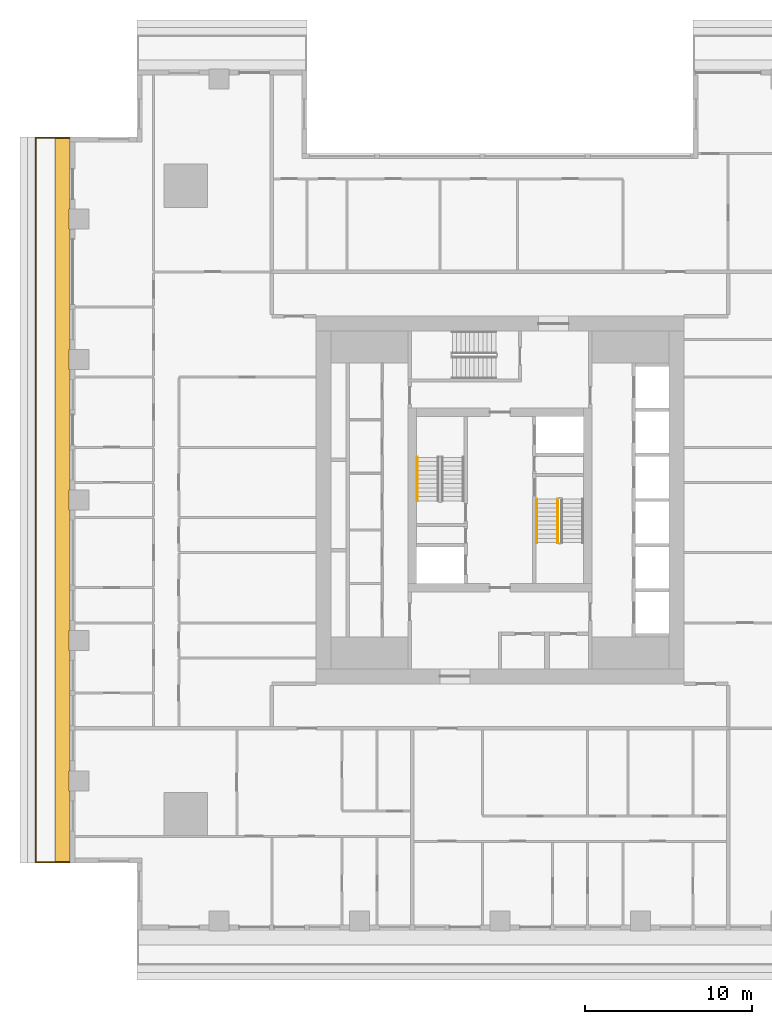
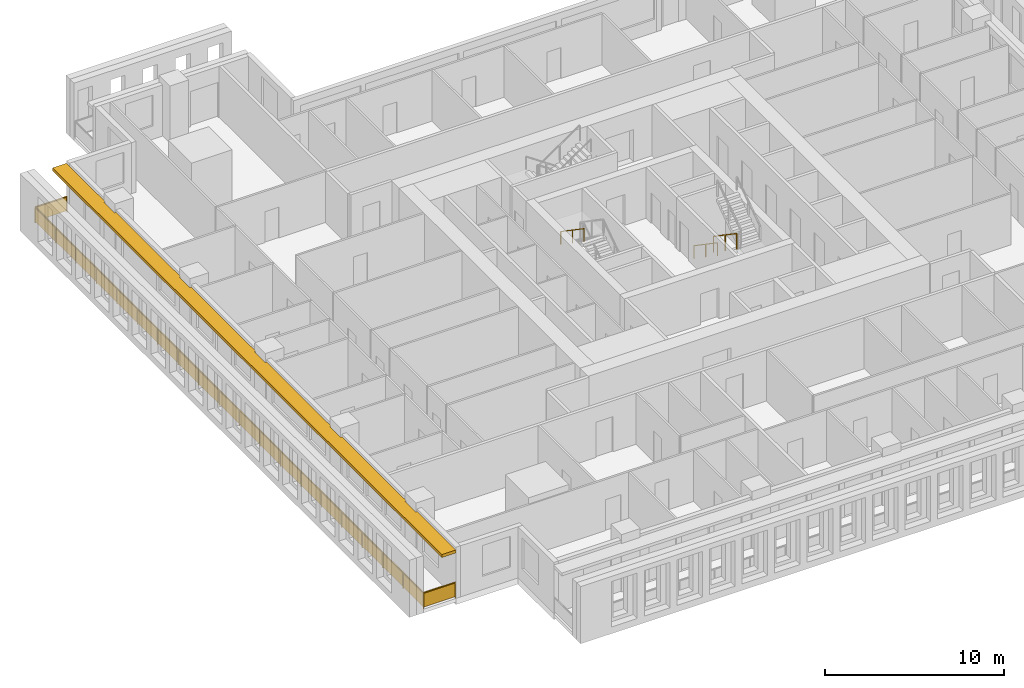
# One storey, part 12 of 16: 4 railings, 1 shading device.
"""IFC4 building model written with IfcOpenShell, lengths in metres."""

from ifc_helpers import new_model, si_unit, direction, frame, origin, origin_2d, place, context, subcontext, project, spatial, polyline, rectangle, outline, extrude, material, layer, layer_set, type_object, element, save


model = new_model("IFC4")

# Units and contexts
model_context = context("Model", 3, precision=1e-05, world=origin(), true_north=direction((0.0, 1.0)))
body_context = subcontext(model_context, "Body", "Model", "MODEL_VIEW")
ifc_project = project(units=[si_unit("LENGTHUNIT", "METRE"), si_unit("AREAUNIT", "SQUARE_METRE"), si_unit("VOLUMEUNIT", "CUBIC_METRE"), si_unit("PLANEANGLEUNIT", "RADIAN"), si_unit("MASSUNIT", "GRAM", prefix="KILO")], contexts=[model_context])

# Site, building, storey
site_placement = place(None, origin())
site = spatial("IfcSite", under=ifc_project, at=site_placement, CompositionType="ELEMENT")
building_placement = place(site_placement, origin())
building = spatial("IfcBuilding", under=site, at=building_placement, Name="Khepri Terraces", CompositionType="ELEMENT")
storey_placement = place(building_placement, frame((0.0, 0.0, 168.89990234375)))
storey = spatial("IfcBuildingStorey", under=building, at=storey_placement, Name="L40", CompositionType="ELEMENT", Elevation=168.89990234375)

# Railings
ifc_material_1 = material(Name="Stainless steel grade 316", Category="steel")
railing_type_1 = type_object("IfcRailingType", Name="GRD-BAL-1100", PredefinedType="GUARDRAIL", material=ifc_material_1)
railing_1_placement = place(storey_placement, frame((-25.719970703125, 21.669921875, 0.0)))
element("IfcRailing", 1, at=railing_1_placement, inside=storey, type_object=railing_type_1, Name="Balcony guard L40 W", PredefinedType="GUARDRAIL", context=body_context, shape_type="SweptSolid", body=[
    extrude(rectangle(XDim=0.050048828125, YDim=0.06005859375, at=origin_2d()), frame((0.0, 0.0, 1.070068359375), z_axis=(-1.0, 0.0, 0.0), x_axis=(0.0, -1.0, 0.0)), (0.0, 0.0, 1.0), 2.050048828125),
    extrude(rectangle(XDim=2.0, YDim=0.011962890625, at=origin_2d()), frame((-1.02490234375, 0.0, 0.10009765625), z_axis=(0.0, 0.0, 1.0), x_axis=(-1.0, 0.0, 0.0)), (0.0, 0.0, 1.0), 0.93994140625),
    extrude(rectangle(XDim=0.050048828125, YDim=0.06005859375, at=origin_2d()), frame((-2.050048828125, 0.0, 1.070068359375), z_axis=(0.0, -1.0, 0.0), x_axis=(1.0, 0.0, 0.0)), (0.0, 0.0, 1.0), 43.33984375),
    extrude(rectangle(XDim=2.23095703125, YDim=0.011962890625, at=origin_2d()), frame((-2.050048828125, -1.140625, 0.10009765625), z_axis=(0.0, 0.0, 1.0), x_axis=(0.0, -1.0, 0.0)), (0.0, 0.0, 1.0), 0.93994140625),
    extrude(rectangle(XDim=2.23095703125, YDim=0.011962890625, at=origin_2d()), frame((-2.050048828125, -3.421630859375, 0.10009765625), z_axis=(0.0, 0.0, 1.0), x_axis=(0.0, -1.0, 0.0)), (0.0, 0.0, 1.0), 0.93994140625),
    extrude(rectangle(XDim=2.23095703125, YDim=0.011962890625, at=origin_2d()), frame((-2.050048828125, -5.70263671875, 0.10009765625), z_axis=(0.0, 0.0, 1.0), x_axis=(0.0, -1.0, 0.0)), (0.0, 0.0, 1.0), 0.93994140625),
    extrude(rectangle(XDim=2.23095703125, YDim=0.011962890625, at=origin_2d()), frame((-2.050048828125, -7.983642578125, 0.10009765625), z_axis=(0.0, 0.0, 1.0), x_axis=(0.0, -1.0, 0.0)), (0.0, 0.0, 1.0), 0.93994140625),
    extrude(rectangle(XDim=2.23095703125, YDim=0.011962890625, at=origin_2d()), frame((-2.050048828125, -10.2646484375, 0.10009765625), z_axis=(0.0, 0.0, 1.0), x_axis=(0.0, -1.0, 0.0)), (0.0, 0.0, 1.0), 0.93994140625),
    extrude(rectangle(XDim=2.23095703125, YDim=0.011962890625, at=origin_2d()), frame((-2.050048828125, -12.545654296875, 0.10009765625), z_axis=(0.0, 0.0, 1.0), x_axis=(0.0, -1.0, 0.0)), (0.0, 0.0, 1.0), 0.93994140625),
    extrude(rectangle(XDim=2.23095703125, YDim=0.011962890625, at=origin_2d()), frame((-2.050048828125, -14.826904296875, 0.10009765625), z_axis=(0.0, 0.0, 1.0), x_axis=(0.0, -1.0, 0.0)), (0.0, 0.0, 1.0), 0.93994140625),
    extrude(rectangle(XDim=2.23095703125, YDim=0.011962890625, at=origin_2d()), frame((-2.050048828125, -17.10791015625, 0.10009765625), z_axis=(0.0, 0.0, 1.0), x_axis=(0.0, -1.0, 0.0)), (0.0, 0.0, 1.0), 0.93994140625),
    extrude(rectangle(XDim=2.23095703125, YDim=0.011962890625, at=origin_2d()), frame((-2.050048828125, -19.388916015625, 0.10009765625), z_axis=(0.0, 0.0, 1.0), x_axis=(0.0, -1.0, 0.0)), (0.0, 0.0, 1.0), 0.93994140625),
    extrude(rectangle(XDim=2.23095703125, YDim=0.011962890625, at=origin_2d()), frame((-2.050048828125, -21.669921875, 0.10009765625), z_axis=(0.0, 0.0, 1.0), x_axis=(0.0, -1.0, 0.0)), (0.0, 0.0, 1.0), 0.93994140625),
    extrude(rectangle(XDim=2.23095703125, YDim=0.011962890625, at=origin_2d()), frame((-2.050048828125, -23.950927734375, 0.10009765625), z_axis=(0.0, 0.0, 1.0), x_axis=(0.0, -1.0, 0.0)), (0.0, 0.0, 1.0), 0.93994140625),
    extrude(rectangle(XDim=2.23095703125, YDim=0.011962890625, at=origin_2d()), frame((-2.050048828125, -26.23193359375, 0.10009765625), z_axis=(0.0, 0.0, 1.0), x_axis=(0.0, -1.0, 0.0)), (0.0, 0.0, 1.0), 0.93994140625),
    extrude(rectangle(XDim=2.23095703125, YDim=0.011962890625, at=origin_2d()), frame((-2.050048828125, -28.512939453125, 0.10009765625), z_axis=(0.0, 0.0, 1.0), x_axis=(0.0, -1.0, 0.0)), (0.0, 0.0, 1.0), 0.93994140625),
    extrude(rectangle(XDim=2.23095703125, YDim=0.011962890625, at=origin_2d()), frame((-2.050048828125, -30.794189453125, 0.10009765625), z_axis=(0.0, 0.0, 1.0), x_axis=(0.0, -1.0, 0.0)), (0.0, 0.0, 1.0), 0.93994140625),
    extrude(rectangle(XDim=2.23095703125, YDim=0.011962890625, at=origin_2d()), frame((-2.050048828125, -33.0751953125, 0.10009765625), z_axis=(0.0, 0.0, 1.0), x_axis=(0.0, -1.0, 0.0)), (0.0, 0.0, 1.0), 0.93994140625),
    extrude(rectangle(XDim=2.23095703125, YDim=0.011962890625, at=origin_2d()), frame((-2.050048828125, -35.356201171875, 0.10009765625), z_axis=(0.0, 0.0, 1.0), x_axis=(0.0, -1.0, 0.0)), (0.0, 0.0, 1.0), 0.93994140625),
    extrude(rectangle(XDim=2.23095703125, YDim=0.011962890625, at=origin_2d()), frame((-2.050048828125, -37.63720703125, 0.10009765625), z_axis=(0.0, 0.0, 1.0), x_axis=(0.0, -1.0, 0.0)), (0.0, 0.0, 1.0), 0.93994140625),
    extrude(rectangle(XDim=2.23095703125, YDim=0.011962890625, at=origin_2d()), frame((-2.050048828125, -39.918212890625, 0.10009765625), z_axis=(0.0, 0.0, 1.0), x_axis=(0.0, -1.0, 0.0)), (0.0, 0.0, 1.0), 0.93994140625),
    extrude(rectangle(XDim=2.23095703125, YDim=0.011962890625, at=origin_2d()), frame((-2.050048828125, -42.19921875, 0.10009765625), z_axis=(0.0, 0.0, 1.0), x_axis=(0.0, -1.0, 0.0)), (0.0, 0.0, 1.0), 0.93994140625),
    extrude(rectangle(XDim=0.050048828125, YDim=0.06005859375, at=origin_2d()), frame((-2.050048828125, -43.33984375, 1.070068359375), z_axis=(1.0, 0.0, 0.0), x_axis=(0.0, 1.0, 0.0)), (0.0, 0.0, 1.0), 2.050048828125),
    extrude(rectangle(XDim=2.0, YDim=0.011962890625, at=origin_2d()), frame((-1.02490234375, -43.33984375, 0.10009765625), z_axis=(0.0, 0.0, 1.0), x_axis=(1.0, 0.0, 0.0)), (0.0, 0.0, 1.0), 0.93994140625),
    extrude(rectangle(XDim=0.050048828125, YDim=0.050048828125, at=origin_2d()), origin(), (0.0, 0.0, 1.0), 1.0400390625),
    extrude(rectangle(XDim=0.050048828125, YDim=0.050048828125, at=origin_2d()), frame((-2.050048828125, 0.0, 0.0)), (0.0, 0.0, 1.0), 1.0400390625),
    extrude(rectangle(XDim=0.050048828125, YDim=0.050048828125, at=origin_2d()), frame((-2.050048828125, -2.281005859375, 0.0)), (0.0, 0.0, 1.0), 1.0400390625),
    extrude(rectangle(XDim=0.050048828125, YDim=0.050048828125, at=origin_2d()), frame((-2.050048828125, -4.56201171875, 0.0)), (0.0, 0.0, 1.0), 1.0400390625),
    extrude(rectangle(XDim=0.050048828125, YDim=0.050048828125, at=origin_2d()), frame((-2.050048828125, -6.843017578125, 0.0)), (0.0, 0.0, 1.0), 1.0400390625),
    extrude(rectangle(XDim=0.050048828125, YDim=0.050048828125, at=origin_2d()), frame((-2.050048828125, -9.124267578125, 0.0)), (0.0, 0.0, 1.0), 1.0400390625),
    extrude(rectangle(XDim=0.050048828125, YDim=0.050048828125, at=origin_2d()), frame((-2.050048828125, -11.4052734375, 0.0)), (0.0, 0.0, 1.0), 1.0400390625),
    extrude(rectangle(XDim=0.050048828125, YDim=0.050048828125, at=origin_2d()), frame((-2.050048828125, -13.686279296875, 0.0)), (0.0, 0.0, 1.0), 1.0400390625),
    extrude(rectangle(XDim=0.050048828125, YDim=0.050048828125, at=origin_2d()), frame((-2.050048828125, -15.96728515625, 0.0)), (0.0, 0.0, 1.0), 1.0400390625),
    extrude(rectangle(XDim=0.050048828125, YDim=0.050048828125, at=origin_2d()), frame((-2.050048828125, -18.248291015625, 0.0)), (0.0, 0.0, 1.0), 1.0400390625),
    extrude(rectangle(XDim=0.050048828125, YDim=0.050048828125, at=origin_2d()), frame((-2.050048828125, -20.529296875, 0.0)), (0.0, 0.0, 1.0), 1.0400390625),
    extrude(rectangle(XDim=0.050048828125, YDim=0.050048828125, at=origin_2d()), frame((-2.050048828125, -22.810546875, 0.0)), (0.0, 0.0, 1.0), 1.0400390625),
    extrude(rectangle(XDim=0.050048828125, YDim=0.050048828125, at=origin_2d()), frame((-2.050048828125, -25.091552734375, 0.0)), (0.0, 0.0, 1.0), 1.0400390625),
    extrude(rectangle(XDim=0.050048828125, YDim=0.050048828125, at=origin_2d()), frame((-2.050048828125, -27.37255859375, 0.0)), (0.0, 0.0, 1.0), 1.0400390625),
    extrude(rectangle(XDim=0.050048828125, YDim=0.050048828125, at=origin_2d()), frame((-2.050048828125, -29.653564453125, 0.0)), (0.0, 0.0, 1.0), 1.0400390625),
    extrude(rectangle(XDim=0.050048828125, YDim=0.050048828125, at=origin_2d()), frame((-2.050048828125, -31.9345703125, 0.0)), (0.0, 0.0, 1.0), 1.0400390625),
    extrude(rectangle(XDim=0.050048828125, YDim=0.050048828125, at=origin_2d()), frame((-2.050048828125, -34.215576171875, 0.0)), (0.0, 0.0, 1.0), 1.0400390625),
    extrude(rectangle(XDim=0.050048828125, YDim=0.050048828125, at=origin_2d()), frame((-2.050048828125, -36.496826171875, 0.0)), (0.0, 0.0, 1.0), 1.0400390625),
    extrude(rectangle(XDim=0.050048828125, YDim=0.050048828125, at=origin_2d()), frame((-2.050048828125, -38.77783203125, 0.0)), (0.0, 0.0, 1.0), 1.0400390625),
    extrude(rectangle(XDim=0.050048828125, YDim=0.050048828125, at=origin_2d()), frame((-2.050048828125, -41.058837890625, 0.0)), (0.0, 0.0, 1.0), 1.0400390625),
    extrude(rectangle(XDim=0.050048828125, YDim=0.050048828125, at=origin_2d()), frame((-2.050048828125, -43.33984375, 0.0)), (0.0, 0.0, 1.0), 1.0400390625),
    extrude(rectangle(XDim=0.050048828125, YDim=0.050048828125, at=origin_2d()), frame((0.0, -43.33984375, 0.0)), (0.0, 0.0, 1.0), 1.0400390625),
])
ifc_material_2 = material(Name="Stainless steel 316", Category="steel")
railing_type_2 = type_object("IfcRailingType", Name="RL-CORE-GUARD", PredefinedType="GUARDRAIL", material=ifc_material_2)
railing_2_placement = place(storey_placement, frame((3.449951171875, 0.050048828125, 0.177490234375)))
element("IfcRailing", 2, at=railing_2_placement, inside=storey, type_object=railing_type_2, Name="L40 ST-2 stair guard 1", PredefinedType="GUARDRAIL", context=body_context, shape_type="SweptSolid", body=[
    extrude(rectangle(XDim=0.050048828125, YDim=0.06005859375, at=origin_2d()), frame((0.0, 0.0, 1.070068359375), z_axis=(0.0, -0.826240473404, 0.563317565952), x_axis=(1.0, 0.0, 0.0)), (0.0, 0.0, 1.0), 3.14697265625),
    extrude(rectangle(XDim=0.050048828125, YDim=0.050048828125, at=origin_2d()), origin(), (0.0, 0.0, 1.0), 1.0400390625),
    extrude(rectangle(XDim=0.050048828125, YDim=0.050048828125, at=origin_2d()), frame((0.0, -1.300048828125, 0.88623046875)), (0.0, 0.0, 1.0), 1.0400390625),
    extrude(rectangle(XDim=0.050048828125, YDim=0.050048828125, at=origin_2d()), frame((0.0, -2.60009765625, 1.772705078125)), (0.0, 0.0, 1.0), 1.0400390625),
])
railing_type_3 = type_object("IfcRailingType", Name="RL-CORE-HANDRAIL", PredefinedType="HANDRAIL", material=ifc_material_2)
for number, where, name in (
    (3, (-4.949951171875, 2.550048828125, 2.12744140625), "L40 ST-1 stair handrail 2"),
    (4, (2.199951171875, 0.050048828125, 0.177490234375), "L40 ST-2 stair handrail 1"),
):
    element("IfcRailing", number, at=place(storey_placement, frame(where)), inside=storey, type_object=railing_type_3, Name=name, PredefinedType="HANDRAIL", context=body_context, shape_type="SweptSolid", body=[
        extrude(rectangle(XDim=0.050048828125, YDim=0.050048828125, at=origin_2d()), frame((0.0, 0.0, 0.875), z_axis=(0.0, -0.826240473404, 0.563317565952), x_axis=(1.0, 0.0, 0.0)), (0.0, 0.0, 1.0), 3.14697265625),
        extrude(rectangle(XDim=0.050048828125, YDim=0.050048828125, at=origin_2d()), origin(), (0.0, 0.0, 1.0), 0.849853515625),
        extrude(rectangle(XDim=0.050048828125, YDim=0.050048828125, at=origin_2d()), frame((0.0, -1.300048828125, 0.88623046875)), (0.0, 0.0, 1.0), 0.849853515625),
        extrude(rectangle(XDim=0.050048828125, YDim=0.050048828125, at=origin_2d()), frame((0.0, -2.60009765625, 1.772705078125)), (0.0, 0.0, 1.0), 0.849853515625),
    ])

# Shading device
ifc_material_3 = material(Name="Precast concrete C50/60 warm stone", Category="masonry")
ifc_layer = layer(ifc_material_3, 0.199951171875, Name="Precast concrete C50/60 warm stone", Category="masonry")
ifc_layer_set = layer_set([ifc_layer], Name="Precast concrete C50/60 warm stone")
shading_device_type = type_object("IfcShadingDeviceType", Name="SSH-BAND-STONE-200", PredefinedType="USERDEFINED", material=ifc_layer_set)
shading_device_placement = place(storey_placement, frame((0.0, 0.0, 3.10009765625)))
element("IfcShadingDevice", 5, at=shading_device_placement, inside=storey, type_object=shading_device_type, Name="Sunshade band L40 W", ObjectType="SUNSHADE", PredefinedType="USERDEFINED", context=body_context, shape_type="SweptSolid", body=[
    extrude(outline(polyline([(-25.719970703125, 17.39990234375), (-25.719970703125, 21.719970703125), (-26.6201171875, 21.719970703125), (-26.6201171875, -21.719970703125), (-25.719970703125, -21.719970703125), (-25.719970703125, -17.39990234375), (-25.800048828125, -17.39990234375), (-25.800048828125, -16.199951171875), (-25.719970703125, -16.199951171875), (-25.719970703125, -9.0), (-25.800048828125, -9.0), (-25.800048828125, -7.800048828125), (-25.719970703125, -7.800048828125), (-25.719970703125, -0.60009765625), (-25.800048828125, -0.60009765625), (-25.800048828125, 0.60009765625), (-25.719970703125, 0.60009765625), (-25.719970703125, 7.800048828125), (-25.800048828125, 7.800048828125), (-25.800048828125, 9.0), (-25.719970703125, 9.0), (-25.719970703125, 16.199951171875), (-25.800048828125, 16.199951171875), (-25.800048828125, 17.39990234375), (-25.719970703125, 17.39990234375)])), origin(), (0.0, 0.0, 1.0), 0.199951171875),
])

save(model, "model.ifc")
